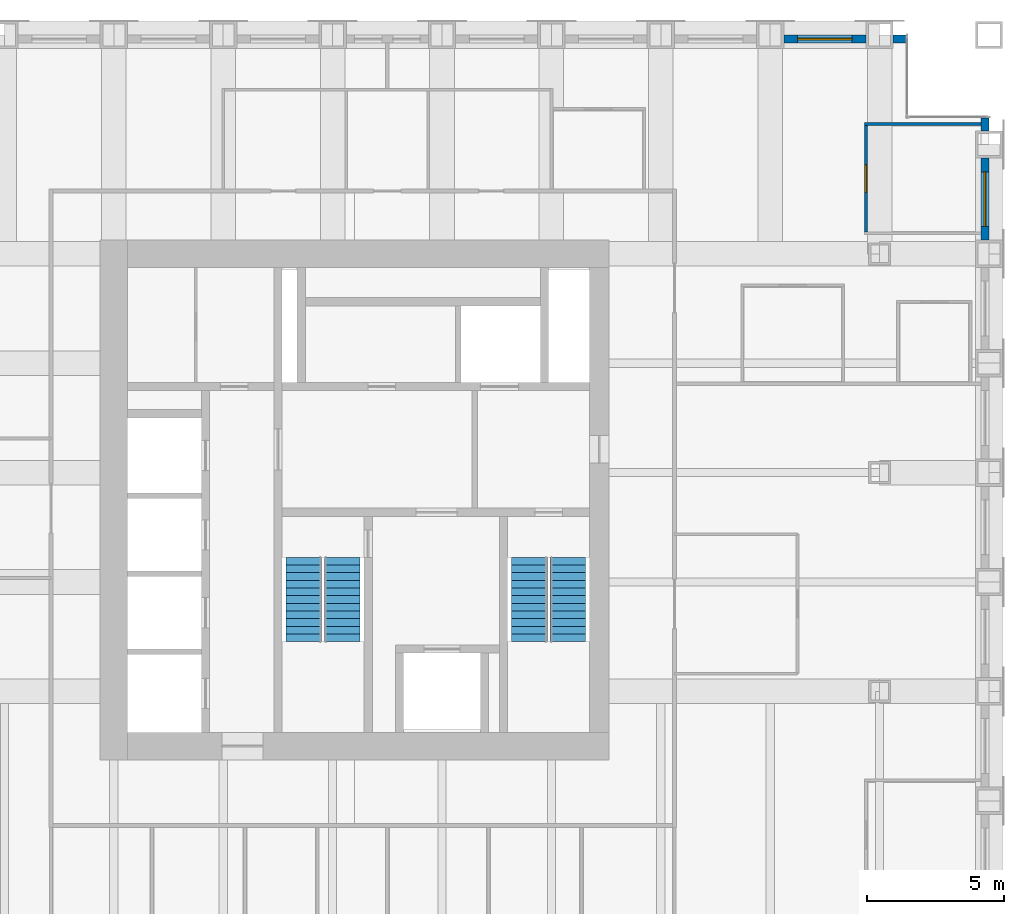
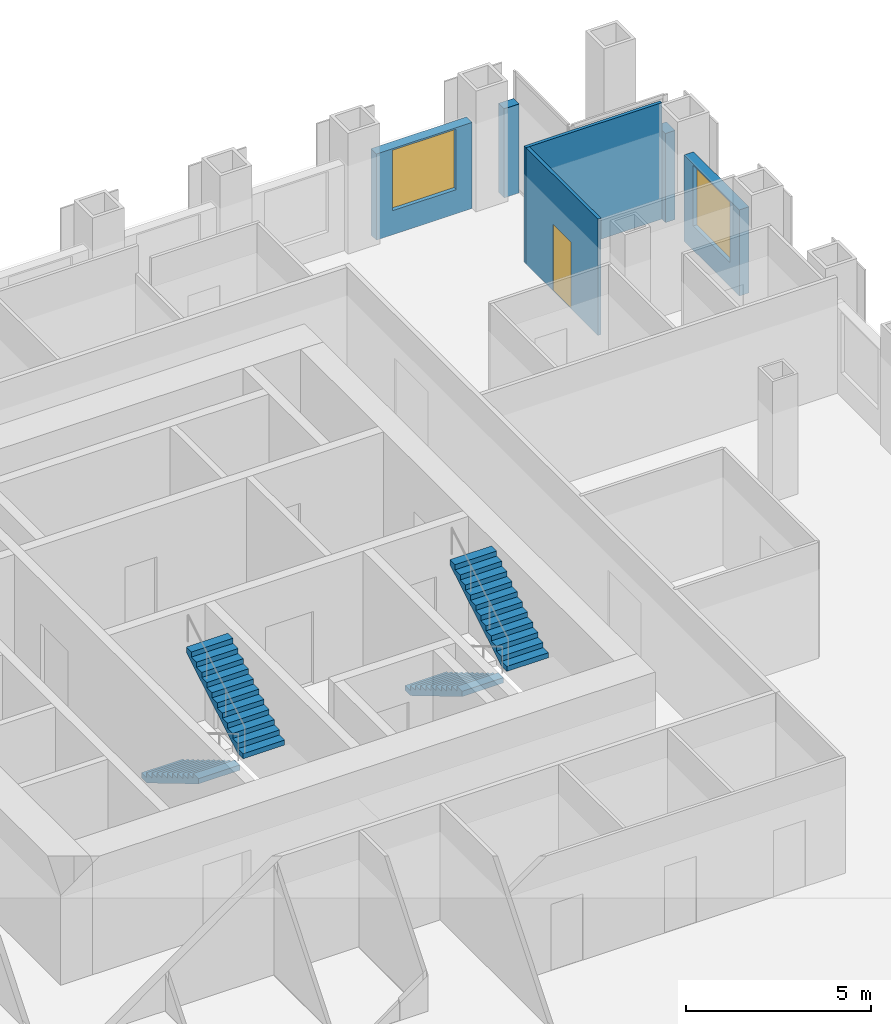
# One storey, part 11 of 13: 6 walls, 4 stair flights, 2 windows, 1 door, 3 openings, 2 elements without a shape of their own.
"""IFC4 building model written with IfcOpenShell, lengths in metres."""

from ifc_helpers import new_model, si_unit, direction, frame, frame_2d, origin, place, context, subcontext, project, spatial, polyline, rectangle, outline, extrude, material, layer, layer_set, type_object, element, fill, aggregate, save


model = new_model("IFC4")

# Units and contexts
model_context = context("Model", 3, precision=1e-05, world=origin(), true_north=direction((0.0, 1.0)))
body_context = subcontext(model_context, "Body", "Model", "MODEL_VIEW")
ifc_project = project(units=[si_unit("LENGTHUNIT", "METRE"), si_unit("AREAUNIT", "SQUARE_METRE"), si_unit("VOLUMEUNIT", "CUBIC_METRE"), si_unit("PLANEANGLEUNIT", "RADIAN"), si_unit("MASSUNIT", "GRAM", prefix="KILO")], contexts=[model_context])

# Site, building, storey
site_placement = place(None, origin())
site = spatial("IfcSite", under=ifc_project, at=site_placement, CompositionType="ELEMENT")
building_placement = place(site_placement, origin())
building = spatial("IfcBuilding", under=site, at=building_placement, Name="Rimbunsela Tower", CompositionType="ELEMENT")
storey_placement = place(building_placement, frame((0.0, 0.0, 262.199951171875)))
storey = spatial("IfcBuildingStorey", under=building, at=storey_placement, Name="L63", CompositionType="ELEMENT", Elevation=262.199951171875)

# Wall
ifc_material_1 = material(Name="Gypsum board on steel studs", Category="steel")
ifc_layer_1 = layer(ifc_material_1, 0.10009765625)
ifc_layer_set_1 = layer_set([ifc_layer_1], Name="Office partition 100")
wall_type_1 = type_object("IfcWallType", Name="Office partition 100", PredefinedType="PARTITIONING", material=ifc_layer_set_1)
wall_1_placement = place(storey_placement, frame((45.449951171875, 40.75, 0.0), z_axis=(0.0, 0.0, 1.0), x_axis=(1.0, 0.0, 0.0)))
element("IfcWall", 1, at=wall_1_placement, inside=storey, type_object=wall_type_1, Name="Office partition", PredefinedType="PARTITIONING", context=body_context, shape_type="SweptSolid", body=[
    extrude(rectangle(XDim=4.25, YDim=0.10009765625, at=frame_2d((2.125, 0.0))), origin(), (0.0, 0.0, 1.0), 3.85009765625),
])

# Wall, opening, door
wall_2_placement = place(storey_placement, frame((45.5, 36.800048828125, 0.0), z_axis=(0.0, 0.0, 1.0), x_axis=(0.0, 1.0, 0.0)))
wall_2 = element("IfcWall", 2, at=wall_2_placement, inside=storey, type_object=wall_type_1, Name="Office partition", PredefinedType="PARTITIONING", context=body_context, shape_type="SweptSolid", body=[
    extrude(rectangle(XDim=3.89990234375, YDim=0.10009765625, at=frame_2d((1.949951171875, 0.0))), origin(), (0.0, 0.0, 1.0), 3.85009765625),
])
opening_1_placement = place(wall_2_placement, frame((1.449951171875, 0.0, 0.0)))
opening_1 = element("IfcOpeningElement", 3, at=opening_1_placement, cuts=wall_2, Name="Opening D16", PredefinedType="OPENING", context=body_context, shape_type="SweptSolid", body=[
    extrude(rectangle(XDim=1.0, YDim=2.199951171875, at=frame_2d((0.5, 1.10009765625))), frame((0.0, 0.06005859375, 0.0), z_axis=(0.0, -1.0, 0.0), x_axis=(1.0, 0.0, 0.0)), (0.0, 0.0, 1.0), 0.1201171875),
])
ifc_material_2 = material(Name="Timber door", Category="wood")
door_type = type_object("IfcDoorType", Name="Office door 1000", OperationType="SINGLE_SWING_LEFT", PredefinedType="DOOR", material=ifc_material_2)
door_placement = place(opening_1_placement, origin())
door = element("IfcDoor", 4, at=door_placement, inside=storey, type_object=door_type, Name="Office door", OperationType="SINGLE_SWING_LEFT", OverallHeight=2.199951171875, OverallWidth=1.0, PredefinedType="DOOR", context=body_context, shape_type="SweptSolid", body=[
    extrude(rectangle(XDim=1.0, YDim=2.199951171875, at=frame_2d((0.5, 1.10009765625))), frame((0.0, 0.02490234375, 0.0), z_axis=(0.0, -1.0, 0.0), x_axis=(1.0, 0.0, 0.0)), (0.0, 0.0, 1.0), 0.050048828125),
])
fill(opening_1, door)

# Wall, opening, window
ifc_material_3 = material(Name="Precast concrete fc' 35 MPa", Category="concrete")
ifc_layer_2 = layer(ifc_material_3, 0.300048828125)
ifc_layer_set_2 = layer_set([ifc_layer_2], Name="Precast concrete fc' 35 MPa")
wall_type_2 = type_object("IfcWallType", Name="Precast facade panel 300", PredefinedType="ELEMENTEDWALL", material=ifc_layer_set_2)
wall_3_placement = place(storey_placement, frame((49.85009765625, 36.5, 0.0), z_axis=(0.0, 0.0, 1.0), x_axis=(0.0, 1.0, 0.0)))
wall_3 = element("IfcWall", 5, at=wall_3_placement, inside=storey, type_object=wall_type_2, Name="Facade panel E L63", PredefinedType="ELEMENTEDWALL", context=body_context, shape_type="SweptSolid", body=[
    extrude(rectangle(XDim=3.0, YDim=0.300048828125, at=frame_2d((1.5, 0.0))), origin(), (0.0, 0.0, 1.0), 2.85009765625),
])
opening_2_placement = place(wall_3_placement, frame((0.5, 0.0, 0.800048828125)))
opening_2 = element("IfcOpeningElement", 6, at=opening_2_placement, cuts=wall_3, Name="Opening W1", PredefinedType="OPENING", context=body_context, shape_type="SweptSolid", body=[
    extrude(rectangle(XDim=2.0, YDim=2.0, at=frame_2d((1.0, 1.0))), frame((0.0, 0.159912109375, 0.0), z_axis=(0.0, -1.0, 0.0), x_axis=(1.0, 0.0, 0.0)), (0.0, 0.0, 1.0), 0.320068359375),
])
ifc_material_4 = material(Name="Clear glass in aluminium frame", Category="aluminium")
window_type = type_object("IfcWindowType", Name="Window W1 2000x2000", PartitioningType="DOUBLE_PANEL_VERTICAL", PredefinedType="WINDOW", material=ifc_material_4)
window_1_placement = place(opening_2_placement, origin())
window_1 = element("IfcWindow", 7, at=window_1_placement, inside=storey, type_object=window_type, Name="Window L63", OverallHeight=2.0, OverallWidth=2.0, PartitioningType="SINGLE_PANEL", PredefinedType="WINDOW", context=body_context, shape_type="SweptSolid", body=[
    extrude(rectangle(XDim=2.0, YDim=2.0, at=frame_2d((1.0, 1.0))), frame((0.0, 0.030029296875, 0.0), z_axis=(0.0, -1.0, 0.0), x_axis=(1.0, 0.0, 0.0)), (0.0, 0.0, 1.0), 0.06005859375),
])
fill(opening_2, window_1)

# Wall
wall_4_placement = place(storey_placement, frame((49.85009765625, 40.5, 0.0), z_axis=(0.0, 0.0, 1.0), x_axis=(0.0, 1.0, 0.0)))
element("IfcWall", 8, at=wall_4_placement, inside=storey, type_object=wall_type_2, Name="Facade panel E L63", PredefinedType="ELEMENTEDWALL", context=body_context, shape_type="SweptSolid", body=[
    extrude(rectangle(XDim=0.469970703125, YDim=0.300048828125, at=frame_2d((0.23486328125, 0.0))), origin(), (0.0, 0.0, 1.0), 2.949951171875),
])

# Wall, opening, window
wall_5_placement = place(storey_placement, frame((45.5, 43.85009765625, 0.0), z_axis=(0.0, 0.0, 1.0), x_axis=(-1.0, 0.0, 0.0)))
wall_5 = element("IfcWall", 9, at=wall_5_placement, inside=storey, type_object=wall_type_2, Name="Facade panel N L63", PredefinedType="ELEMENTEDWALL", context=body_context, shape_type="SweptSolid", body=[
    extrude(rectangle(XDim=3.0, YDim=0.300048828125, at=frame_2d((1.5, 0.0))), origin(), (0.0, 0.0, 1.0), 2.85009765625),
])
opening_3_placement = place(wall_5_placement, frame((0.5, 0.0, 0.800048828125)))
opening_3 = element("IfcOpeningElement", 10, at=opening_3_placement, cuts=wall_5, Name="Opening W1", PredefinedType="OPENING", context=body_context, shape_type="SweptSolid", body=[
    extrude(rectangle(XDim=2.0, YDim=2.0, at=frame_2d((1.0, 1.0))), frame((0.0, 0.159912109375, 0.0), z_axis=(0.0, -1.0, 0.0), x_axis=(1.0, 0.0, 0.0)), (0.0, 0.0, 1.0), 0.320068359375),
])
window_2_placement = place(opening_3_placement, origin())
window_2 = element("IfcWindow", 11, at=window_2_placement, inside=storey, type_object=window_type, Name="Window L63", OverallHeight=2.0, OverallWidth=2.0, PartitioningType="SINGLE_PANEL", PredefinedType="WINDOW", context=body_context, shape_type="SweptSolid", body=[
    extrude(rectangle(XDim=2.0, YDim=2.0, at=frame_2d((1.0, 1.0))), frame((0.0, 0.030029296875, 0.0), z_axis=(0.0, -1.0, 0.0), x_axis=(1.0, 0.0, 0.0)), (0.0, 0.0, 1.0), 0.06005859375),
])
fill(opening_3, window_2)

# Wall
wall_6_placement = place(storey_placement, frame((46.969970703125, 43.85009765625, 0.0), z_axis=(0.0, 0.0, 1.0), x_axis=(-1.0, 0.0, 0.0)))
element("IfcWall", 12, at=wall_6_placement, inside=storey, type_object=wall_type_2, Name="Facade panel N L63", PredefinedType="ELEMENTEDWALL", context=body_context, shape_type="SweptSolid", body=[
    extrude(rectangle(XDim=0.469970703125, YDim=0.300048828125, at=frame_2d((0.23486328125, 0.0))), origin(), (0.0, 0.0, 1.0), 2.949951171875),
])

# Stair, stair flights
ifc_material_5 = material(Name="Concrete fc' 35 MPa", Category="concrete")
stair_type = type_object("IfcStairType", Name="Exit stair 24 risers", PredefinedType="HALF_TURN_STAIR", material=ifc_material_5)
stair_1_placement = place(storey_placement, origin())
stair_1 = element("IfcStair", 13, at=stair_1_placement, inside=storey, type_object=stair_type, Name="Exit stair A L63", PredefinedType="HALF_TURN_STAIR")
ifc_material_6 = material(Name="Concrete fc' 35 MPa", Category="concrete")
stair_flight_type = type_object("IfcStairFlightType", Name="Stair flight 12 risers 167", PredefinedType="STRAIGHT", material=ifc_material_6)
stair_flight_1_placement = place(storey_placement, frame((24.949951171875, 24.89990234375, 0.0), z_axis=(0.0, 0.0, 1.0), x_axis=(0.0, -1.0, 0.0)))
stair_flight_1 = element("IfcStairFlight", 14, at=stair_flight_1_placement, type_object=stair_flight_type, Name="ST-A flight 1", NumberOfRisers=12, NumberOfTreads=11, PredefinedType="STRAIGHT", RiserHeight=0.166666667, TreadLength=0.28, context=body_context, shape_type="SweptSolid", body=[
    extrude(outline(polyline([(0.0, 0.0), (0.0, 0.166748046875), (0.280029296875, 0.166748046875), (0.280029296875, 0.333251953125), (0.56005859375, 0.333251953125), (0.56005859375, 0.5), (0.840087890625, 0.5), (0.840087890625, 0.666748046875), (1.1201171875, 0.666748046875), (1.1201171875, 0.833251953125), (1.39990234375, 0.833251953125), (1.39990234375, 1.0), (1.679931640625, 1.0), (1.679931640625, 1.166748046875), (1.9599609375, 1.166748046875), (1.9599609375, 1.333251953125), (2.239990234375, 1.333251953125), (2.239990234375, 1.5), (2.52001953125, 1.5), (2.52001953125, 1.666748046875), (2.800048828125, 1.666748046875), (2.800048828125, 1.833251953125), (3.080078125, 1.833251953125), (3.080078125, 2.0), (3.080078125, 1.658935546875), (0.29296875, 0.0), (0.0, 0.0)])), frame((0.0, 0.64990234375, 0.0), z_axis=(0.0, -1.0, 0.0), x_axis=(1.0, 0.0, 0.0)), (0.0, 0.0, 1.0), 1.300048828125),
])
stair_flight_2_placement = place(storey_placement, frame((26.35009765625, 21.820068359375, 2.0), z_axis=(0.0, 0.0, 1.0), x_axis=(0.0, 1.0, 0.0)))
stair_flight_2 = element("IfcStairFlight", 15, at=stair_flight_2_placement, type_object=stair_flight_type, Name="ST-A flight 2", NumberOfRisers=12, NumberOfTreads=11, PredefinedType="STRAIGHT", RiserHeight=0.166666667, TreadLength=0.28, context=body_context, shape_type="SweptSolid", body=[
    extrude(outline(polyline([(0.0, 0.0), (0.0, 0.166748046875), (0.280029296875, 0.166748046875), (0.280029296875, 0.333251953125), (0.56005859375, 0.333251953125), (0.56005859375, 0.5), (0.840087890625, 0.5), (0.840087890625, 0.666748046875), (1.1201171875, 0.666748046875), (1.1201171875, 0.833251953125), (1.39990234375, 0.833251953125), (1.39990234375, 1.0), (1.679931640625, 1.0), (1.679931640625, 1.166748046875), (1.9599609375, 1.166748046875), (1.9599609375, 1.333251953125), (2.239990234375, 1.333251953125), (2.239990234375, 1.5), (2.52001953125, 1.5), (2.52001953125, 1.666748046875), (2.800048828125, 1.666748046875), (2.800048828125, 1.833251953125), (3.080078125, 1.833251953125), (3.080078125, 2.0), (3.080078125, 1.658935546875), (0.29296875, 0.0), (0.0, 0.0)])), frame((0.0, 0.64990234375, 0.0), z_axis=(0.0, -1.0, 0.0), x_axis=(1.0, 0.0, 0.0)), (0.0, 0.0, 1.0), 1.300048828125),
])
aggregate(stair_1, [stair_flight_1, stair_flight_2])

stair_2_placement = place(storey_placement, origin())
stair_2 = element("IfcStair", 16, at=stair_2_placement, inside=storey, type_object=stair_type, Name="Exit stair B L63", PredefinedType="HALF_TURN_STAIR")
stair_flight_3_placement = place(storey_placement, frame((33.199951171875, 24.89990234375, 0.0), z_axis=(0.0, 0.0, 1.0), x_axis=(0.0, -1.0, 0.0)))
stair_flight_3 = element("IfcStairFlight", 17, at=stair_flight_3_placement, type_object=stair_flight_type, Name="ST-B flight 1", NumberOfRisers=12, NumberOfTreads=11, PredefinedType="STRAIGHT", RiserHeight=0.166666667, TreadLength=0.28, context=body_context, shape_type="SweptSolid", body=[
    extrude(outline(polyline([(0.0, 0.0), (0.0, 0.166748046875), (0.280029296875, 0.166748046875), (0.280029296875, 0.333251953125), (0.56005859375, 0.333251953125), (0.56005859375, 0.5), (0.840087890625, 0.5), (0.840087890625, 0.666748046875), (1.1201171875, 0.666748046875), (1.1201171875, 0.833251953125), (1.39990234375, 0.833251953125), (1.39990234375, 1.0), (1.679931640625, 1.0), (1.679931640625, 1.166748046875), (1.9599609375, 1.166748046875), (1.9599609375, 1.333251953125), (2.239990234375, 1.333251953125), (2.239990234375, 1.5), (2.52001953125, 1.5), (2.52001953125, 1.666748046875), (2.800048828125, 1.666748046875), (2.800048828125, 1.833251953125), (3.080078125, 1.833251953125), (3.080078125, 2.0), (3.080078125, 1.658935546875), (0.29296875, 0.0), (0.0, 0.0)])), frame((0.0, 0.64990234375, 0.0), z_axis=(0.0, -1.0, 0.0), x_axis=(1.0, 0.0, 0.0)), (0.0, 0.0, 1.0), 1.300048828125),
])
stair_flight_4_placement = place(storey_placement, frame((34.60009765625, 21.820068359375, 2.0), z_axis=(0.0, 0.0, 1.0), x_axis=(0.0, 1.0, 0.0)))
stair_flight_4 = element("IfcStairFlight", 18, at=stair_flight_4_placement, type_object=stair_flight_type, Name="ST-B flight 2", NumberOfRisers=12, NumberOfTreads=11, PredefinedType="STRAIGHT", RiserHeight=0.166666667, TreadLength=0.28, context=body_context, shape_type="SweptSolid", body=[
    extrude(outline(polyline([(0.0, 0.0), (0.0, 0.166748046875), (0.280029296875, 0.166748046875), (0.280029296875, 0.333251953125), (0.56005859375, 0.333251953125), (0.56005859375, 0.5), (0.840087890625, 0.5), (0.840087890625, 0.666748046875), (1.1201171875, 0.666748046875), (1.1201171875, 0.833251953125), (1.39990234375, 0.833251953125), (1.39990234375, 1.0), (1.679931640625, 1.0), (1.679931640625, 1.166748046875), (1.9599609375, 1.166748046875), (1.9599609375, 1.333251953125), (2.239990234375, 1.333251953125), (2.239990234375, 1.5), (2.52001953125, 1.5), (2.52001953125, 1.666748046875), (2.800048828125, 1.666748046875), (2.800048828125, 1.833251953125), (3.080078125, 1.833251953125), (3.080078125, 2.0), (3.080078125, 1.658935546875), (0.29296875, 0.0), (0.0, 0.0)])), frame((0.0, 0.64990234375, 0.0), z_axis=(0.0, -1.0, 0.0), x_axis=(1.0, 0.0, 0.0)), (0.0, 0.0, 1.0), 1.300048828125),
])
aggregate(stair_2, [stair_flight_3, stair_flight_4])

save(model, "model.ifc")
